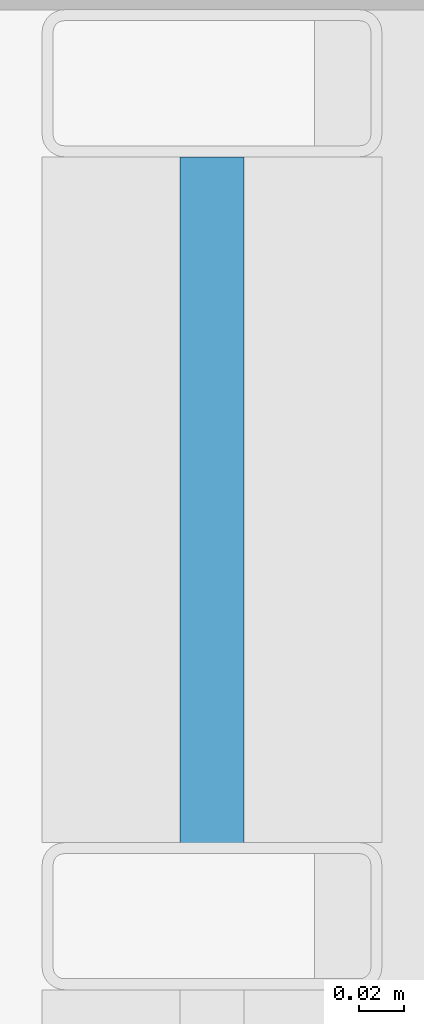
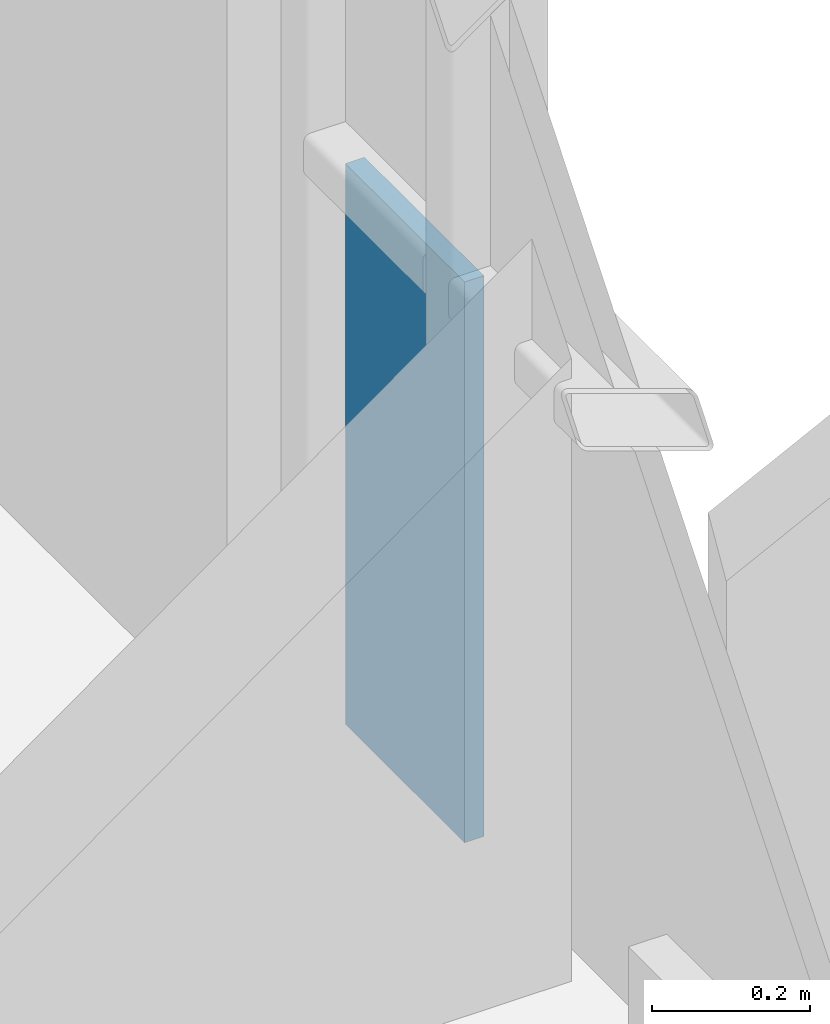
# One storey, part 26 of 38: 1 plate, 1 element without a shape of its own.
"""IFC4 building model written with IfcOpenShell, lengths in metres."""

import ifcopenshell
import ifcopenshell.guid

model = None  # the IFC model being written
_history = None  # IfcOwnerHistory: only IFC2X3 demands one
_inside = {}  # id of a spatial element -> (the spatial element, [elements in it])
_under = {}  # id of a project, library or spatial element -> (it, [spatial elements below it])
_declared = {}  # id of a project -> (the project, [libraries it declares])
_typed = {}  # id of a type object -> (the type object, [elements of that type])
_made_of = {}  # id of a material, layer set ... -> (it, [elements and type objects made of it])


def new_model(schema):
    """Start an empty IFC model of exactly this schema.

    Asked for "IFC4X3", IfcOpenShell would pick the latest addendum, in which some entities
    have other attributes; the version numbers below select the first issue.
    IFC2X3 requires an IfcOwnerHistory on every rooted entity: one is made here for all.
    """
    global model, _history
    if schema == "IFC4X3":
        model = ifcopenshell.file(schema_version=(4, 3, 0, 0))
    else:
        model = ifcopenshell.file(schema=schema)
    _inside.clear()
    _under.clear()
    _declared.clear()
    _typed.clear()
    _made_of.clear()
    _history = None
    if model.schema == "IFC2X3":
        org = make("IfcOrganization", Name="unknown")
        user = make(
            "IfcPersonAndOrganization",
            ThePerson=make("IfcPerson", FamilyName="unknown"),
            TheOrganization=org,
        )
        app = make(
            "IfcApplication",
            ApplicationDeveloper=org,
            Version="unknown",
            ApplicationFullName="unknown",
            ApplicationIdentifier="unknown",
        )
        _history = make(
            "IfcOwnerHistory",
            OwningUser=user,
            OwningApplication=app,
            ChangeAction="ADDED",
            CreationDate=0,
        )
    return model


def make(cls, **values):
    """One entity of the class cls with the attributes given. An attribute that is None is left unset."""
    return model.create_entity(
        cls, **{name: value for name, value in values.items() if value is not None}
    )


def rooted(cls, **values):
    """An entity with a GlobalId (a new one), such as an element, a storey or a relation."""
    return make(cls, GlobalId=ifcopenshell.guid.new(), OwnerHistory=_history, **values)


def si_unit(unit_type, name, prefix=None):
    """IfcSIUnit, for example si_unit("LENGTHUNIT", "METRE", prefix="MILLI")."""
    return make("IfcSIUnit", UnitType=unit_type, Prefix=prefix, Name=name)


def assignment(units):
    """IfcUnitAssignment: the units of a project."""
    return None if units is None else make("IfcUnitAssignment", Units=units)


def point(xyz):
    """IfcCartesianPoint."""
    return None if xyz is None else make("IfcCartesianPoint", Coordinates=xyz)


def direction(xyz):
    """IfcDirection."""
    return None if xyz is None else make("IfcDirection", DirectionRatios=xyz)


def frame(location, z_axis=None, x_axis=None):
    """IfcAxis2Placement3D, a coordinate frame: its origin and axes. An axis left out is left unset."""
    return make(
        "IfcAxis2Placement3D",
        Location=point(location),
        Axis=direction(z_axis),
        RefDirection=direction(x_axis),
    )


def frame_2d(location, x_axis=None):
    """IfcAxis2Placement2D, a coordinate frame in the plane: its origin and x axis."""
    return make(
        "IfcAxis2Placement2D", Location=point(location), RefDirection=direction(x_axis)
    )


def origin():
    """The frame at (0, 0, 0) with its axes left unset."""
    return frame((0.0, 0.0, 0.0))


def origin_2d():
    """The frame at (0, 0) in the plane with its x axis left unset."""
    return frame_2d((0.0, 0.0))


def place(relative_to, where):
    """IfcLocalPlacement: puts the frame where relative to a parent placement (None: the world)."""
    return make(
        "IfcLocalPlacement", PlacementRelTo=relative_to, RelativePlacement=where
    )


def context(
    kind, dimensions, precision=None, world=None, true_north=None, identifier=None
):
    """IfcGeometricRepresentationContext, for example the 3D "Model" context."""
    return make(
        "IfcGeometricRepresentationContext",
        ContextIdentifier=identifier,
        ContextType=kind,
        CoordinateSpaceDimension=dimensions,
        Precision=precision,
        WorldCoordinateSystem=world,
        TrueNorth=true_north,
    )


def subcontext(parent, identifier, kind, view, scale=None):
    """IfcGeometricRepresentationSubContext, for example "Body" below "Model"."""
    return make(
        "IfcGeometricRepresentationSubContext",
        ContextIdentifier=identifier,
        ContextType=kind,
        ParentContext=parent,
        TargetScale=scale,
        TargetView=view,
    )


def project(units=None, contexts=None):
    """IfcProject with its units and contexts."""
    return rooted(
        "IfcProject",
        Name="project",
        RepresentationContexts=contexts,
        UnitsInContext=assignment(units),
    )


def spatial(cls, under=None, at=None, **own):
    """A site, building, storey or space (cls), placed at a placement, below another one or the project."""
    s = rooted(cls, ObjectPlacement=at, **own)
    if under is not None:
        _under.setdefault(under.id(), (under, []))[1].append(s)
    return s


def profile(cls, at=None, kind="AREA", **sizes):
    """A parametric profile (cls). Its sizes go by their IFC names, for example OverallWidth=200.0."""
    return make(cls, ProfileType=kind, Position=at, **sizes)


def rectangle(**sizes):
    """IfcRectangleProfileDef."""
    return profile("IfcRectangleProfileDef", **sizes)


def extrude(swept, where, along, depth):
    """IfcExtrudedAreaSolid: the profile swept, set in the frame where, extruded along a direction by depth."""
    return make(
        "IfcExtrudedAreaSolid",
        SweptArea=swept,
        Position=where,
        ExtrudedDirection=direction(along),
        Depth=depth,
    )


def shape(context_of_items, identifier, shape_type, items):
    """IfcShapeRepresentation: the items that make up one representation, for example the "Body"."""
    return make(
        "IfcShapeRepresentation",
        ContextOfItems=context_of_items,
        RepresentationIdentifier=identifier,
        RepresentationType=shape_type,
        Items=items,
    )


def material(Name=None, Category=None):
    """IfcMaterial."""
    return make("IfcMaterial", Name=Name, Category=Category)


def layer(
    of_material, thickness, ventilated=None, Name=None, Category=None, Priority=None
):
    """IfcMaterialLayer: one layer of a wall or slab, of a material (None: an air gap)."""
    return make(
        "IfcMaterialLayer",
        Material=of_material,
        LayerThickness=thickness,
        IsVentilated=ventilated,
        Name=Name,
        Category=Category,
        Priority=Priority,
    )


def layer_set(layers, Name=None):
    """IfcMaterialLayerSet."""
    return make("IfcMaterialLayerSet", MaterialLayers=layers, LayerSetName=Name)


def made_of(thing, what):
    """Note that an element or type object is made of a material, layer set ...; save() writes the relation."""
    if what is not None:
        _made_of.setdefault(what.id(), (what, []))[1].append(thing)
    return thing


def type_object(cls, material=None, **own):
    """A type object (cls), such as IfcWallType, which elements share."""
    return made_of(rooted(cls, **own), material)


def element(
    cls,
    number,
    at=None,
    inside=None,
    cuts=None,
    type_object=None,
    material=None,
    context=None,
    identifier="Body",
    shape_type=None,
    held_by="IfcProductDefinitionShape",
    body=None,
    shapes=None,
    **own,
):
    """One element of the class cls, such as IfcWall. Its Tag is "e" and its number.

    at: its placement. inside: the storey or other place that contains it. cuts: it is an
    opening in that element (IfcRelVoidsElement). A single representation is given by context,
    identifier, shape_type and body (its items); several are given by shapes. held_by: the class
    of the entity that holds the representations. save() writes the other relations.
    """
    e = rooted(cls, Tag="e%d" % number, ObjectPlacement=at, **own)
    if body is not None:
        shapes = [shape(context, identifier, shape_type, body)]
    if shapes is not None:
        e.Representation = make(held_by, Representations=shapes)
    if inside is not None:
        _inside.setdefault(inside.id(), (inside, []))[1].append(e)
    if cuts is not None:
        rooted(
            "IfcRelVoidsElement", RelatingBuildingElement=cuts, RelatedOpeningElement=e
        )
    if type_object is not None:
        _typed.setdefault(type_object.id(), (type_object, []))[1].append(e)
    return made_of(e, material)


def aggregate(whole, parts):
    """IfcRelAggregates: a whole, such as a stair, and the parts it consists of."""
    return rooted("IfcRelAggregates", RelatingObject=whole, RelatedObjects=parts)


def save(model, path):
    """Write the relations noted so far, then the file.

    IfcRelAggregates (storeys below a building ...), IfcRelContainedInSpatialStructure (elements
    in a storey), IfcRelDefinesByType, IfcRelAssociatesMaterial and IfcRelDeclares: one each for
    every whole, place, type object, material and project.
    """
    for whole, parts in _under.values():
        aggregate(whole, parts)
    for where, things in _inside.values():
        rooted(
            "IfcRelContainedInSpatialStructure",
            RelatedElements=things,
            RelatingStructure=where,
        )
    for kind, things in _typed.values():
        rooted("IfcRelDefinesByType", RelatedObjects=things, RelatingType=kind)
    for what, things in _made_of.values():
        rooted("IfcRelAssociatesMaterial", RelatedObjects=things, RelatingMaterial=what)
    for by, libraries in _declared.values():
        rooted("IfcRelDeclares", RelatingContext=by, RelatedDefinitions=libraries)
    model.write(path)


model = new_model("IFC4")

# Units and contexts
model_context = context("Model", 3, precision=1e-05, world=origin(), true_north=direction((0.0, 1.0)))
body_context = subcontext(model_context, "Body", "Model", "MODEL_VIEW")
ifc_project = project(units=[si_unit("LENGTHUNIT", "METRE"), si_unit("AREAUNIT", "SQUARE_METRE"), si_unit("VOLUMEUNIT", "CUBIC_METRE"), si_unit("PLANEANGLEUNIT", "RADIAN"), si_unit("MASSUNIT", "GRAM", prefix="KILO")], contexts=[model_context])

# Site, building, storey
site_placement = place(None, origin())
site = spatial("IfcSite", under=ifc_project, at=site_placement, CompositionType="ELEMENT")
building_placement = place(site_placement, origin())
building = spatial("IfcBuilding", under=site, at=building_placement, Name="Brevholm Reach", CompositionType="ELEMENT")
storey_placement = place(building_placement, frame((0.0, 0.0, 122.10009765625)))
storey = spatial("IfcBuildingStorey", under=building, at=storey_placement, Name="L36", CompositionType="ELEMENT", Elevation=122.10009765625)

# Curtain wall, plate
ifc_material_1 = material(Name="Dark Anodised Aluminium 6063-T6 and Solar-Control Glass", Category="aluminium")
ifc_layer_1 = layer(ifc_material_1, 0.14990234375)
ifc_layer_set_1 = layer_set([ifc_layer_1], Name="Dark Anodised Aluminium 6063-T6 and Solar-Control Glass")
curtain_wall_type = type_object("IfcCurtainWallType", Name="CW-01", PredefinedType="NOTDEFINED", material=ifc_layer_set_1)
curtain_wall_placement = place(storey_placement, origin())
curtain_wall = element("IfcCurtainWall", 1, at=curtain_wall_placement, inside=storey, type_object=curtain_wall_type, Name="L36 Curtain Wall CW-01", PredefinedType="NOTDEFINED")
ifc_material_2 = material(Name="Dark Solar-Control Double-Glazed IGU Glass", Category="glass")
ifc_layer_2 = layer(ifc_material_2, 0.028076171875)
ifc_layer_set_2 = layer_set([ifc_layer_2], Name="Dark Solar-Control Double-Glazed IGU Glass")
plate_type = type_object("IfcPlateType", Name="CWP-GLZ-28", PredefinedType="CURTAIN_PANEL", material=ifc_layer_set_2)
plate_placement = place(storey_placement, frame((59.85009765625, 22.733642578125, 0.0), z_axis=(0.0, 0.0, 1.0), x_axis=(0.0, 1.0, 0.0)))
plate = element("IfcPlate", 2, at=plate_placement, type_object=plate_type, Name="CP-01 Glazing Panel 5.1", PredefinedType="CURTAIN_PANEL", context=body_context, shape_type="SweptSolid", body=[
    extrude(rectangle(XDim=0.302490234375, YDim=0.028076171875, at=origin_2d()), origin(), (0.0, 0.0, 1.0), 0.867431640625),
])
aggregate(curtain_wall, [plate])

save(model, "model.ifc")
